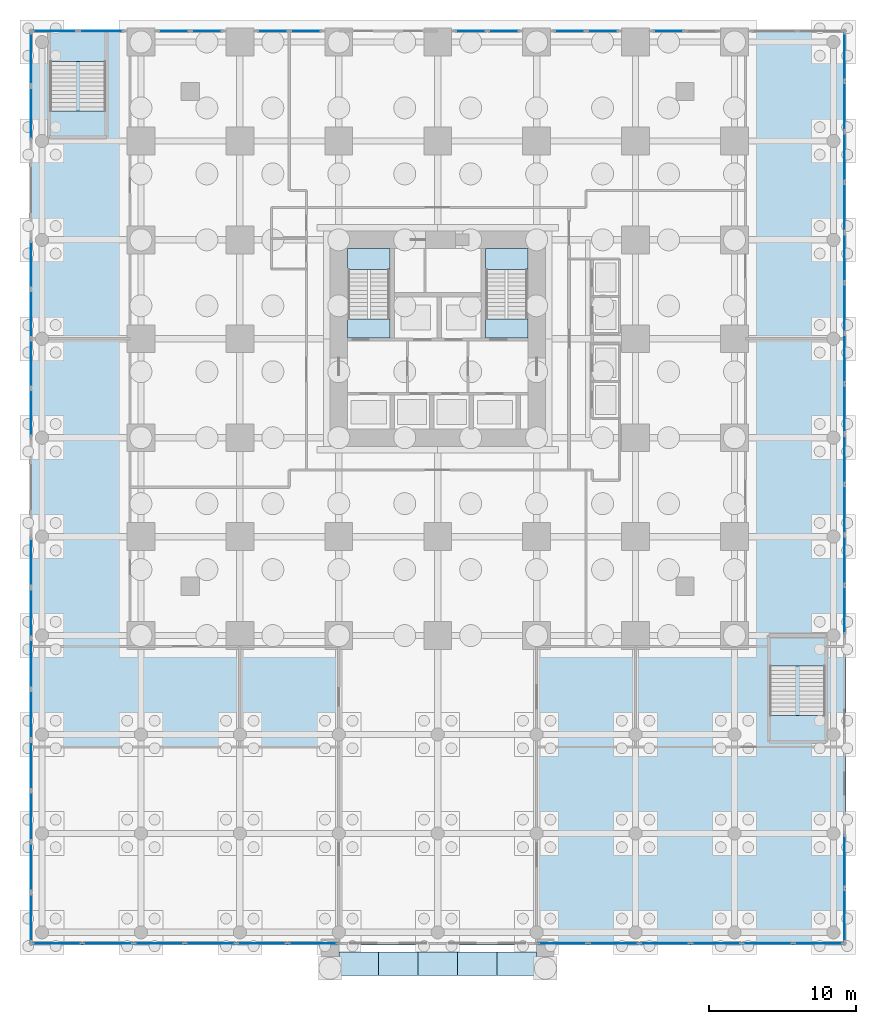
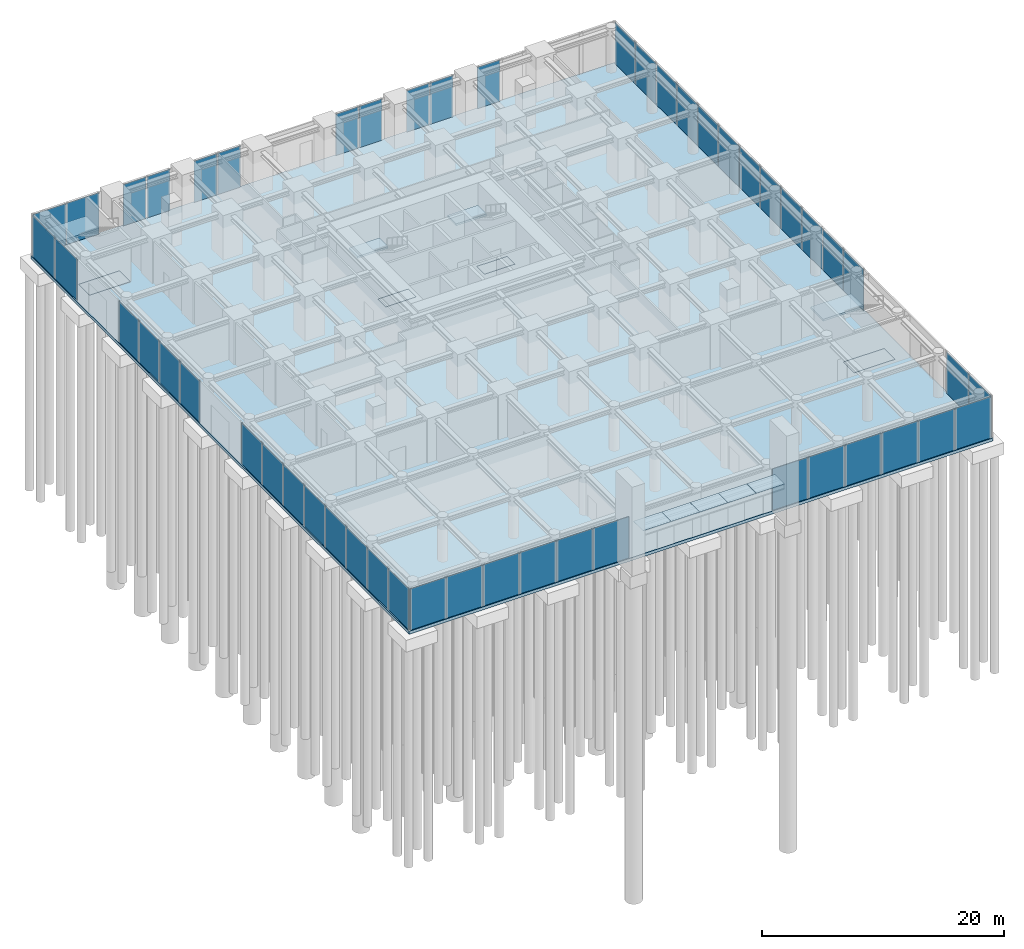
# One storey, part 8 of 14: 56 plates, 9 slabs, 17 elements without a shape of their own.
"""IFC4 building model written with IfcOpenShell, lengths in metres."""

from ifc_helpers import new_model, si_unit, direction, frame, origin, origin_2d, place, context, subcontext, project, spatial, polyline, rectangle, outline, extrude, material, layer, layer_set, type_object, element, aggregate, save


model = new_model("IFC4")

# Units and contexts
model_context = context("Model", 3, precision=1e-05, world=origin(), true_north=direction((0.0, 1.0)))
body_context = subcontext(model_context, "Body", "Model", "MODEL_VIEW")
ifc_project = project(units=[si_unit("LENGTHUNIT", "METRE"), si_unit("AREAUNIT", "SQUARE_METRE"), si_unit("VOLUMEUNIT", "CUBIC_METRE"), si_unit("PLANEANGLEUNIT", "RADIAN"), si_unit("MASSUNIT", "GRAM", prefix="KILO")], contexts=[model_context])

# Site, building, storey
site_placement = place(None, origin())
site = spatial("IfcSite", under=ifc_project, at=site_placement, CompositionType="ELEMENT")
building_placement = place(site_placement, origin())
building = spatial("IfcBuilding", under=site, at=building_placement, Name="Nyansa Garden Tower", CompositionType="ELEMENT")
storey_placement = place(building_placement, origin())
storey = spatial("IfcBuildingStorey", under=building, at=storey_placement, Name="L00", CompositionType="ELEMENT", Elevation=0.0)

# Plates
ifc_material_1 = material(Name="Laminated dark tinted glass", Category="glass")
ifc_layer_1 = layer(ifc_material_1, 0.02490234375)
ifc_layer_set_1 = layer_set([ifc_layer_1], Name="Canopy glass panel CG1")
plate_type_1 = type_object("IfcPlateType", Name="Canopy glass panel CG1", PredefinedType="SHEET", material=ifc_layer_set_1)
for number, where, z_axis, x_axis, name in (
    (1, (14.85009765625, -22.39990234375, 4.0), (0.0, 0.0, 1.0), (1.0, 0.0, 0.0), "Canopy glass panel 1"),
    (2, (17.550048828125, -22.39990234375, 4.0), (0.0, 0.0, 1.0), (1.0, 0.0, 0.0), "Canopy glass panel 2"),
    (3, (20.25, -22.39990234375, 4.0), (0.0, 0.0, 1.0), (1.0, 0.0, 0.0), "Canopy glass panel 3"),
    (4, (22.949951171875, -22.39990234375, 4.0), (0.0, 0.0, 1.0), (1.0, 0.0, 0.0), "Canopy glass panel 4"),
    (5, (25.64990234375, -22.39990234375, 4.0), (0.0, 0.0, 1.0), (1.0, 0.0, 0.0), "Canopy glass panel 5"),
):
    element("IfcPlate", number, at=place(storey_placement, frame(where, z_axis=z_axis, x_axis=x_axis)), inside=storey, type_object=plate_type_1, Name=name, PredefinedType="SHEET", context=body_context, shape_type="SweptSolid", body=[
        extrude(rectangle(XDim=2.68994140625, YDim=1.60009765625, at=origin_2d()), origin(), (0.0, 0.0, 1.0), 0.02490234375),
    ])

# Slab
ifc_material_2 = material(Name="Concrete C40/50", Category="concrete")
ifc_layer_2 = layer(ifc_material_2, 0.300048828125)
ifc_layer_set_2 = layer_set([ifc_layer_2], Name="Ground slab GS300")
slab_type_1 = type_object("IfcSlabType", Name="Ground slab GS300", PredefinedType="BASESLAB", material=ifc_layer_set_2)
slab_1_placement = place(storey_placement, frame((0.0, 0.0, -0.300048828125)))
element("IfcSlab", 6, at=slab_1_placement, inside=storey, type_object=slab_type_1, Name="Ground floor slab", PredefinedType="BASESLAB", context=body_context, shape_type="SweptSolid", body=[
    extrude(outline(polyline([(48.10009765625, -21.10009765625), (-7.60009765625, -21.10009765625), (-7.60009765625, 41.35009765625), (48.10009765625, 41.35009765625), (48.10009765625, -21.10009765625)]), holes=[polyline([(14.10009765625, 20.300048828125), (17.0, 20.300048828125), (17.0, 21.60009765625), (14.10009765625, 21.60009765625), (14.10009765625, 20.300048828125)]), polyline([(23.5, 20.300048828125), (26.39990234375, 20.300048828125), (26.39990234375, 21.60009765625), (23.5, 21.60009765625), (23.5, 20.300048828125)]), polyline([(-6.25, 34.0), (-2.35009765625, 34.0), (-2.35009765625, 35.800048828125), (-6.25, 35.800048828125), (-6.25, 34.0)]), polyline([(42.85009765625, -7.25), (46.75, -7.25), (46.75, -5.449951171875), (42.85009765625, -5.449951171875), (42.85009765625, -7.25)])]), origin(), (0.0, 0.0, 1.0), 0.300048828125),
])

# Curtain wall, plates
ifc_material_3 = material(Name="Black anodised aluminium, clear double glazing", Category="aluminium")
curtain_wall_type = type_object("IfcCurtainWallType", Name="Podium curtain wall PCW", PredefinedType="USERDEFINED", material=ifc_material_3)
curtain_wall_1_placement = place(storey_placement, origin())
curtain_wall_1 = element("IfcCurtainWall", 7, at=curtain_wall_1_placement, inside=storey, type_object=curtain_wall_type, Name="Podium curtain wall L00 E", ObjectType="STICK CURTAIN WALL", PredefinedType="USERDEFINED")
ifc_material_4 = material(Name="Clear laminated double glazing", Category="glass")
ifc_layer_3 = layer(ifc_material_4, 0.0380859375)
ifc_layer_set_3 = layer_set([ifc_layer_3], Name="Podium vision panel VP-P")
plate_type_2 = type_object("IfcPlateType", Name="Podium vision panel VP-P", PredefinedType="CURTAIN_PANEL", material=ifc_layer_set_3)
plate_1_placement = place(storey_placement, frame((48.0, -19.10498046875, 0.0), z_axis=(0.0, 0.0, 1.0), x_axis=(0.0, 1.0, 0.0)))
plate_1 = element("IfcPlate", 8, at=plate_1_placement, type_object=plate_type_2, Name="PCW panel 1", PredefinedType="CURTAIN_PANEL", context=body_context, shape_type="SweptSolid", body=[
    extrude(rectangle(XDim=3.6298828125, YDim=0.0380859375, at=origin_2d()), origin(), (0.0, 0.0, 1.0), 4.169921875),
])
plate_2_placement = place(storey_placement, frame((48.0, -15.39501953125, 0.0), z_axis=(0.0, 0.0, 1.0), x_axis=(0.0, 1.0, 0.0)))
plate_2 = element("IfcPlate", 9, at=plate_2_placement, type_object=plate_type_2, Name="PCW panel 2", PredefinedType="CURTAIN_PANEL", context=body_context, shape_type="SweptSolid", body=[
    extrude(rectangle(XDim=3.6298828125, YDim=0.0380859375, at=origin_2d()), origin(), (0.0, 0.0, 1.0), 4.169921875),
])
aggregate(curtain_wall_1, [plate_1, plate_2])

curtain_wall_2_placement = place(storey_placement, origin())
curtain_wall_2 = element("IfcCurtainWall", 10, at=curtain_wall_2_placement, inside=storey, type_object=curtain_wall_type, Name="Podium curtain wall L00 E", ObjectType="STICK CURTAIN WALL", PredefinedType="USERDEFINED")
plate_3_placement = place(storey_placement, frame((48.0, 1.73876953125, 0.0), z_axis=(0.0, 0.0, 1.0), x_axis=(0.0, 1.0, 0.0)))
plate_3 = element("IfcPlate", 11, at=plate_3_placement, type_object=plate_type_2, Name="PCW panel 1", PredefinedType="CURTAIN_PANEL", context=body_context, shape_type="SweptSolid", body=[
    extrude(rectangle(XDim=3.3173828125, YDim=0.0380859375, at=origin_2d()), origin(), (0.0, 0.0, 1.0), 4.169921875),
])
plate_4_placement = place(storey_placement, frame((48.0, 5.15625, 0.0), z_axis=(0.0, 0.0, 1.0), x_axis=(0.0, 1.0, 0.0)))
plate_4 = element("IfcPlate", 12, at=plate_4_placement, type_object=plate_type_2, Name="PCW panel 2", PredefinedType="CURTAIN_PANEL", context=body_context, shape_type="SweptSolid", body=[
    extrude(rectangle(XDim=3.357421875, YDim=0.0380859375, at=origin_2d()), origin(), (0.0, 0.0, 1.0), 4.169921875),
])
plate_5_placement = place(storey_placement, frame((48.0, 8.59375, 0.0), z_axis=(0.0, 0.0, 1.0), x_axis=(0.0, 1.0, 0.0)))
plate_5 = element("IfcPlate", 13, at=plate_5_placement, type_object=plate_type_2, Name="PCW panel 3", PredefinedType="CURTAIN_PANEL", context=body_context, shape_type="SweptSolid", body=[
    extrude(rectangle(XDim=3.357421875, YDim=0.0380859375, at=origin_2d()), origin(), (0.0, 0.0, 1.0), 4.169921875),
])
plate_6_placement = place(storey_placement, frame((48.0, 12.03125, 0.0), z_axis=(0.0, 0.0, 1.0), x_axis=(0.0, 1.0, 0.0)))
plate_6 = element("IfcPlate", 14, at=plate_6_placement, type_object=plate_type_2, Name="PCW panel 4", PredefinedType="CURTAIN_PANEL", context=body_context, shape_type="SweptSolid", body=[
    extrude(rectangle(XDim=3.357421875, YDim=0.0380859375, at=origin_2d()), origin(), (0.0, 0.0, 1.0), 4.169921875),
])
plate_7_placement = place(storey_placement, frame((48.0, 15.46875, 0.0), z_axis=(0.0, 0.0, 1.0), x_axis=(0.0, 1.0, 0.0)))
plate_7 = element("IfcPlate", 15, at=plate_7_placement, type_object=plate_type_2, Name="PCW panel 5", PredefinedType="CURTAIN_PANEL", context=body_context, shape_type="SweptSolid", body=[
    extrude(rectangle(XDim=3.357421875, YDim=0.0380859375, at=origin_2d()), origin(), (0.0, 0.0, 1.0), 4.169921875),
])
plate_8_placement = place(storey_placement, frame((48.0, 18.90625, 0.0), z_axis=(0.0, 0.0, 1.0), x_axis=(0.0, 1.0, 0.0)))
plate_8 = element("IfcPlate", 16, at=plate_8_placement, type_object=plate_type_2, Name="PCW panel 6", PredefinedType="CURTAIN_PANEL", context=body_context, shape_type="SweptSolid", body=[
    extrude(rectangle(XDim=3.357421875, YDim=0.0380859375, at=origin_2d()), origin(), (0.0, 0.0, 1.0), 4.169921875),
])
plate_9_placement = place(storey_placement, frame((48.0, 22.34375, 0.0), z_axis=(0.0, 0.0, 1.0), x_axis=(0.0, 1.0, 0.0)))
plate_9 = element("IfcPlate", 17, at=plate_9_placement, type_object=plate_type_2, Name="PCW panel 7", PredefinedType="CURTAIN_PANEL", context=body_context, shape_type="SweptSolid", body=[
    extrude(rectangle(XDim=3.357421875, YDim=0.0380859375, at=origin_2d()), origin(), (0.0, 0.0, 1.0), 4.169921875),
])
plate_10_placement = place(storey_placement, frame((48.0, 25.78125, 0.0), z_axis=(0.0, 0.0, 1.0), x_axis=(0.0, 1.0, 0.0)))
plate_10 = element("IfcPlate", 18, at=plate_10_placement, type_object=plate_type_2, Name="PCW panel 8", PredefinedType="CURTAIN_PANEL", context=body_context, shape_type="SweptSolid", body=[
    extrude(rectangle(XDim=3.357421875, YDim=0.0380859375, at=origin_2d()), origin(), (0.0, 0.0, 1.0), 4.169921875),
])
plate_11_placement = place(storey_placement, frame((48.0, 29.21875, 0.0), z_axis=(0.0, 0.0, 1.0), x_axis=(0.0, 1.0, 0.0)))
plate_11 = element("IfcPlate", 19, at=plate_11_placement, type_object=plate_type_2, Name="PCW panel 9", PredefinedType="CURTAIN_PANEL", context=body_context, shape_type="SweptSolid", body=[
    extrude(rectangle(XDim=3.357421875, YDim=0.0380859375, at=origin_2d()), origin(), (0.0, 0.0, 1.0), 4.169921875),
])
plate_12_placement = place(storey_placement, frame((48.0, 32.65625, 0.0), z_axis=(0.0, 0.0, 1.0), x_axis=(0.0, 1.0, 0.0)))
plate_12 = element("IfcPlate", 20, at=plate_12_placement, type_object=plate_type_2, Name="PCW panel 10", PredefinedType="CURTAIN_PANEL", context=body_context, shape_type="SweptSolid", body=[
    extrude(rectangle(XDim=3.357421875, YDim=0.0380859375, at=origin_2d()), origin(), (0.0, 0.0, 1.0), 4.169921875),
])
plate_13_placement = place(storey_placement, frame((48.0, 36.09375, 0.0), z_axis=(0.0, 0.0, 1.0), x_axis=(0.0, 1.0, 0.0)))
plate_13 = element("IfcPlate", 21, at=plate_13_placement, type_object=plate_type_2, Name="PCW panel 11", PredefinedType="CURTAIN_PANEL", context=body_context, shape_type="SweptSolid", body=[
    extrude(rectangle(XDim=3.357421875, YDim=0.0380859375, at=origin_2d()), origin(), (0.0, 0.0, 1.0), 4.169921875),
])
plate_14_placement = place(storey_placement, frame((48.0, 39.51123046875, 0.0), z_axis=(0.0, 0.0, 1.0), x_axis=(0.0, 1.0, 0.0)))
plate_14 = element("IfcPlate", 22, at=plate_14_placement, type_object=plate_type_2, Name="PCW panel 12", PredefinedType="CURTAIN_PANEL", context=body_context, shape_type="SweptSolid", body=[
    extrude(rectangle(XDim=3.3173828125, YDim=0.0380859375, at=origin_2d()), origin(), (0.0, 0.0, 1.0), 4.169921875),
])
aggregate(curtain_wall_2, [plate_3, plate_4, plate_5, plate_6, plate_7, plate_8, plate_9, plate_10, plate_11, plate_12, plate_13, plate_14])

curtain_wall_3_placement = place(storey_placement, origin())
curtain_wall_3 = element("IfcCurtainWall", 23, at=curtain_wall_3_placement, inside=storey, type_object=curtain_wall_type, Name="Podium curtain wall L00 N", ObjectType="STICK CURTAIN WALL", PredefinedType="USERDEFINED")
plate_15_placement = place(storey_placement, frame((11.25, 41.25, 0.0), z_axis=(0.0, 0.0, 1.0), x_axis=(-1.0, 0.0, 0.0)))
plate_15 = element("IfcPlate", 24, at=plate_15_placement, type_object=plate_type_2, Name="PCW panel 1", PredefinedType="CURTAIN_PANEL", context=body_context, shape_type="SweptSolid", body=[
    extrude(rectangle(XDim=2.169921875, YDim=0.0380859375, at=origin_2d()), origin(), (0.0, 0.0, 1.0), 4.169921875),
])
plate_16_placement = place(storey_placement, frame((9.0, 41.25, 0.0), z_axis=(0.0, 0.0, 1.0), x_axis=(-1.0, 0.0, 0.0)))
plate_16 = element("IfcPlate", 25, at=plate_16_placement, type_object=plate_type_2, Name="PCW panel 2", PredefinedType="CURTAIN_PANEL", context=body_context, shape_type="SweptSolid", body=[
    extrude(rectangle(XDim=2.169921875, YDim=0.0380859375, at=origin_2d()), origin(), (0.0, 0.0, 1.0), 4.169921875),
])
aggregate(curtain_wall_3, [plate_15, plate_16])

curtain_wall_4_placement = place(storey_placement, origin())
curtain_wall_4 = element("IfcCurtainWall", 26, at=curtain_wall_4_placement, inside=storey, type_object=curtain_wall_type, Name="Podium curtain wall L00 N", ObjectType="STICK CURTAIN WALL", PredefinedType="USERDEFINED")
plate_17_placement = place(storey_placement, frame((4.5, 41.25, 0.0), z_axis=(0.0, 0.0, 1.0), x_axis=(-1.0, 0.0, 0.0)))
plate_17 = element("IfcPlate", 27, at=plate_17_placement, type_object=plate_type_2, Name="PCW panel 1", PredefinedType="CURTAIN_PANEL", context=body_context, shape_type="SweptSolid", body=[
    extrude(rectangle(XDim=2.169921875, YDim=0.0380859375, at=origin_2d()), origin(), (0.0, 0.0, 1.0), 4.169921875),
])
plate_18_placement = place(storey_placement, frame((2.25, 41.25, 0.0), z_axis=(0.0, 0.0, 1.0), x_axis=(-1.0, 0.0, 0.0)))
plate_18 = element("IfcPlate", 28, at=plate_18_placement, type_object=plate_type_2, Name="PCW panel 2", PredefinedType="CURTAIN_PANEL", context=body_context, shape_type="SweptSolid", body=[
    extrude(rectangle(XDim=2.169921875, YDim=0.0380859375, at=origin_2d()), origin(), (0.0, 0.0, 1.0), 4.169921875),
])
aggregate(curtain_wall_4, [plate_17, plate_18])

curtain_wall_5_placement = place(storey_placement, origin())
curtain_wall_5 = element("IfcCurtainWall", 29, at=curtain_wall_5_placement, inside=storey, type_object=curtain_wall_type, Name="Podium curtain wall L00 N", ObjectType="STICK CURTAIN WALL", PredefinedType="USERDEFINED")
plate_19_placement = place(storey_placement, frame((-2.708740234375, 41.25, 0.0), z_axis=(0.0, 0.0, 1.0), x_axis=(-1.0, 0.0, 0.0)))
plate_19 = element("IfcPlate", 30, at=plate_19_placement, type_object=plate_type_2, Name="PCW panel 1", PredefinedType="CURTAIN_PANEL", context=body_context, shape_type="SweptSolid", body=[
    extrude(rectangle(XDim=3.08740234375, YDim=0.0380859375, at=origin_2d()), origin(), (0.0, 0.0, 1.0), 4.169921875),
])
plate_20_placement = place(storey_placement, frame((-5.876220703125, 41.25, 0.0), z_axis=(0.0, 0.0, 1.0), x_axis=(-1.0, 0.0, 0.0)))
plate_20 = element("IfcPlate", 31, at=plate_20_placement, type_object=plate_type_2, Name="PCW panel 2", PredefinedType="CURTAIN_PANEL", context=body_context, shape_type="SweptSolid", body=[
    extrude(rectangle(XDim=3.08740234375, YDim=0.0380859375, at=origin_2d()), origin(), (0.0, 0.0, 1.0), 4.169921875),
])
aggregate(curtain_wall_5, [plate_19, plate_20])

# Curtain wall, plate
curtain_wall_6_placement = place(storey_placement, origin())
curtain_wall_6 = element("IfcCurtainWall", 32, at=curtain_wall_6_placement, inside=storey, type_object=curtain_wall_type, Name="Podium curtain wall L00 N", ObjectType="STICK CURTAIN WALL", PredefinedType="USERDEFINED")
plate_21_placement = place(storey_placement, frame((36.0, 41.25, 0.0), z_axis=(0.0, 0.0, 1.0), x_axis=(-1.0, 0.0, 0.0)))
plate_21 = element("IfcPlate", 33, at=plate_21_placement, type_object=plate_type_2, Name="PCW panel 2", PredefinedType="CURTAIN_PANEL", context=body_context, shape_type="SweptSolid", body=[
    extrude(rectangle(XDim=2.169921875, YDim=0.0380859375, at=origin_2d()), origin(), (0.0, 0.0, 1.0), 4.169921875),
])
aggregate(curtain_wall_6, [plate_21])

# Curtain wall, plates
curtain_wall_7_placement = place(storey_placement, origin())
curtain_wall_7 = element("IfcCurtainWall", 34, at=curtain_wall_7_placement, inside=storey, type_object=curtain_wall_type, Name="Podium curtain wall L00 N", ObjectType="STICK CURTAIN WALL", PredefinedType="USERDEFINED")
plate_22_placement = place(storey_placement, frame((31.5, 41.25, 0.0), z_axis=(0.0, 0.0, 1.0), x_axis=(-1.0, 0.0, 0.0)))
plate_22 = element("IfcPlate", 35, at=plate_22_placement, type_object=plate_type_2, Name="PCW panel 1", PredefinedType="CURTAIN_PANEL", context=body_context, shape_type="SweptSolid", body=[
    extrude(rectangle(XDim=2.169921875, YDim=0.0380859375, at=origin_2d()), origin(), (0.0, 0.0, 1.0), 4.169921875),
])
plate_23_placement = place(storey_placement, frame((29.25, 41.25, 0.0), z_axis=(0.0, 0.0, 1.0), x_axis=(-1.0, 0.0, 0.0)))
plate_23 = element("IfcPlate", 36, at=plate_23_placement, type_object=plate_type_2, Name="PCW panel 2", PredefinedType="CURTAIN_PANEL", context=body_context, shape_type="SweptSolid", body=[
    extrude(rectangle(XDim=2.169921875, YDim=0.0380859375, at=origin_2d()), origin(), (0.0, 0.0, 1.0), 4.169921875),
])
aggregate(curtain_wall_7, [plate_22, plate_23])

curtain_wall_8_placement = place(storey_placement, origin())
curtain_wall_8 = element("IfcCurtainWall", 37, at=curtain_wall_8_placement, inside=storey, type_object=curtain_wall_type, Name="Podium curtain wall L00 N", ObjectType="STICK CURTAIN WALL", PredefinedType="USERDEFINED")
plate_24_placement = place(storey_placement, frame((24.75, 41.25, 0.0), z_axis=(0.0, 0.0, 1.0), x_axis=(-1.0, 0.0, 0.0)))
plate_24 = element("IfcPlate", 38, at=plate_24_placement, type_object=plate_type_2, Name="PCW panel 1", PredefinedType="CURTAIN_PANEL", context=body_context, shape_type="SweptSolid", body=[
    extrude(rectangle(XDim=2.169921875, YDim=0.0380859375, at=origin_2d()), origin(), (0.0, 0.0, 1.0), 4.169921875),
])
plate_25_placement = place(storey_placement, frame((22.5, 41.25, 0.0), z_axis=(0.0, 0.0, 1.0), x_axis=(-1.0, 0.0, 0.0)))
plate_25 = element("IfcPlate", 39, at=plate_25_placement, type_object=plate_type_2, Name="PCW panel 2", PredefinedType="CURTAIN_PANEL", context=body_context, shape_type="SweptSolid", body=[
    extrude(rectangle(XDim=2.169921875, YDim=0.0380859375, at=origin_2d()), origin(), (0.0, 0.0, 1.0), 4.169921875),
])
aggregate(curtain_wall_8, [plate_24, plate_25])

curtain_wall_9_placement = place(storey_placement, origin())
curtain_wall_9 = element("IfcCurtainWall", 40, at=curtain_wall_9_placement, inside=storey, type_object=curtain_wall_type, Name="Podium curtain wall L00 W", ObjectType="STICK CURTAIN WALL", PredefinedType="USERDEFINED")
plate_26_placement = place(storey_placement, frame((-7.5, 4.99560546875, 0.0), z_axis=(0.0, 0.0, 1.0), x_axis=(0.0, -1.0, 0.0)))
plate_26 = element("IfcPlate", 41, at=plate_26_placement, type_object=plate_type_2, Name="PCW panel 1", PredefinedType="CURTAIN_PANEL", context=body_context, shape_type="SweptSolid", body=[
    extrude(rectangle(XDim=3.3486328125, YDim=0.0380859375, at=origin_2d()), origin(), (0.0, 0.0, 1.0), 4.169921875),
])
plate_27_placement = place(storey_placement, frame((-7.5, 1.546875, 0.0), z_axis=(0.0, 0.0, 1.0), x_axis=(0.0, -1.0, 0.0)))
plate_27 = element("IfcPlate", 42, at=plate_27_placement, type_object=plate_type_2, Name="PCW panel 2", PredefinedType="CURTAIN_PANEL", context=body_context, shape_type="SweptSolid", body=[
    extrude(rectangle(XDim=3.388671875, YDim=0.0380859375, at=origin_2d()), origin(), (0.0, 0.0, 1.0), 4.169921875),
])
plate_28_placement = place(storey_placement, frame((-7.5, -1.921875, 0.0), z_axis=(0.0, 0.0, 1.0), x_axis=(0.0, -1.0, 0.0)))
plate_28 = element("IfcPlate", 43, at=plate_28_placement, type_object=plate_type_2, Name="PCW panel 3", PredefinedType="CURTAIN_PANEL", context=body_context, shape_type="SweptSolid", body=[
    extrude(rectangle(XDim=3.388671875, YDim=0.0380859375, at=origin_2d()), origin(), (0.0, 0.0, 1.0), 4.169921875),
])
plate_29_placement = place(storey_placement, frame((-7.5, -5.390625, 0.0), z_axis=(0.0, 0.0, 1.0), x_axis=(0.0, -1.0, 0.0)))
plate_29 = element("IfcPlate", 44, at=plate_29_placement, type_object=plate_type_2, Name="PCW panel 4", PredefinedType="CURTAIN_PANEL", context=body_context, shape_type="SweptSolid", body=[
    extrude(rectangle(XDim=3.388671875, YDim=0.0380859375, at=origin_2d()), origin(), (0.0, 0.0, 1.0), 4.169921875),
])
plate_30_placement = place(storey_placement, frame((-7.5, -8.859375, 0.0), z_axis=(0.0, 0.0, 1.0), x_axis=(0.0, -1.0, 0.0)))
plate_30 = element("IfcPlate", 45, at=plate_30_placement, type_object=plate_type_2, Name="PCW panel 5", PredefinedType="CURTAIN_PANEL", context=body_context, shape_type="SweptSolid", body=[
    extrude(rectangle(XDim=3.388671875, YDim=0.0380859375, at=origin_2d()), origin(), (0.0, 0.0, 1.0), 4.169921875),
])
plate_31_placement = place(storey_placement, frame((-7.5, -12.328125, 0.0), z_axis=(0.0, 0.0, 1.0), x_axis=(0.0, -1.0, 0.0)))
plate_31 = element("IfcPlate", 46, at=plate_31_placement, type_object=plate_type_2, Name="PCW panel 6", PredefinedType="CURTAIN_PANEL", context=body_context, shape_type="SweptSolid", body=[
    extrude(rectangle(XDim=3.388671875, YDim=0.0380859375, at=origin_2d()), origin(), (0.0, 0.0, 1.0), 4.169921875),
])
plate_32_placement = place(storey_placement, frame((-7.5, -15.796875, 0.0), z_axis=(0.0, 0.0, 1.0), x_axis=(0.0, -1.0, 0.0)))
plate_32 = element("IfcPlate", 47, at=plate_32_placement, type_object=plate_type_2, Name="PCW panel 7", PredefinedType="CURTAIN_PANEL", context=body_context, shape_type="SweptSolid", body=[
    extrude(rectangle(XDim=3.388671875, YDim=0.0380859375, at=origin_2d()), origin(), (0.0, 0.0, 1.0), 4.169921875),
])
plate_33_placement = place(storey_placement, frame((-7.5, -19.24560546875, 0.0), z_axis=(0.0, 0.0, 1.0), x_axis=(0.0, -1.0, 0.0)))
plate_33 = element("IfcPlate", 48, at=plate_33_placement, type_object=plate_type_2, Name="PCW panel 8", PredefinedType="CURTAIN_PANEL", context=body_context, shape_type="SweptSolid", body=[
    extrude(rectangle(XDim=3.3486328125, YDim=0.0380859375, at=origin_2d()), origin(), (0.0, 0.0, 1.0), 4.169921875),
])
aggregate(curtain_wall_9, [plate_26, plate_27, plate_28, plate_29, plate_30, plate_31, plate_32, plate_33])

curtain_wall_10_placement = place(storey_placement, origin())
curtain_wall_10 = element("IfcCurtainWall", 49, at=curtain_wall_10_placement, inside=storey, type_object=curtain_wall_type, Name="Podium curtain wall L00 W", ObjectType="STICK CURTAIN WALL", PredefinedType="USERDEFINED")
plate_34_placement = place(storey_placement, frame((-7.5, 25.29248046875, 0.0), z_axis=(0.0, 0.0, 1.0), x_axis=(0.0, -1.0, 0.0)))
plate_34 = element("IfcPlate", 50, at=plate_34_placement, type_object=plate_type_2, Name="PCW panel 1", PredefinedType="CURTAIN_PANEL", context=body_context, shape_type="SweptSolid", body=[
    extrude(rectangle(XDim=3.2548828125, YDim=0.0380859375, at=origin_2d()), origin(), (0.0, 0.0, 1.0), 4.169921875),
])
plate_35_placement = place(storey_placement, frame((-7.5, 21.9375, 0.0), z_axis=(0.0, 0.0, 1.0), x_axis=(0.0, -1.0, 0.0)))
plate_35 = element("IfcPlate", 51, at=plate_35_placement, type_object=plate_type_2, Name="PCW panel 2", PredefinedType="CURTAIN_PANEL", context=body_context, shape_type="SweptSolid", body=[
    extrude(rectangle(XDim=3.294921875, YDim=0.0380859375, at=origin_2d()), origin(), (0.0, 0.0, 1.0), 4.169921875),
])
plate_36_placement = place(storey_placement, frame((-7.5, 18.5625, 0.0), z_axis=(0.0, 0.0, 1.0), x_axis=(0.0, -1.0, 0.0)))
plate_36 = element("IfcPlate", 52, at=plate_36_placement, type_object=plate_type_2, Name="PCW panel 3", PredefinedType="CURTAIN_PANEL", context=body_context, shape_type="SweptSolid", body=[
    extrude(rectangle(XDim=3.294921875, YDim=0.0380859375, at=origin_2d()), origin(), (0.0, 0.0, 1.0), 4.169921875),
])
plate_37_placement = place(storey_placement, frame((-7.5, 15.20751953125, 0.0), z_axis=(0.0, 0.0, 1.0), x_axis=(0.0, -1.0, 0.0)))
plate_37 = element("IfcPlate", 53, at=plate_37_placement, type_object=plate_type_2, Name="PCW panel 4", PredefinedType="CURTAIN_PANEL", context=body_context, shape_type="SweptSolid", body=[
    extrude(rectangle(XDim=3.2548828125, YDim=0.0380859375, at=origin_2d()), origin(), (0.0, 0.0, 1.0), 4.169921875),
])
aggregate(curtain_wall_10, [plate_34, plate_35, plate_36, plate_37])

curtain_wall_11_placement = place(storey_placement, origin())
curtain_wall_11 = element("IfcCurtainWall", 54, at=curtain_wall_11_placement, inside=storey, type_object=curtain_wall_type, Name="Podium curtain wall L00 W", ObjectType="STICK CURTAIN WALL", PredefinedType="USERDEFINED")
plate_38_placement = place(storey_placement, frame((-7.5, 39.35498046875, 0.0), z_axis=(0.0, 0.0, 1.0), x_axis=(0.0, -1.0, 0.0)))
plate_38 = element("IfcPlate", 55, at=plate_38_placement, type_object=plate_type_2, Name="PCW panel 1", PredefinedType="CURTAIN_PANEL", context=body_context, shape_type="SweptSolid", body=[
    extrude(rectangle(XDim=3.6298828125, YDim=0.0380859375, at=origin_2d()), origin(), (0.0, 0.0, 1.0), 4.169921875),
])
plate_39_placement = place(storey_placement, frame((-7.5, 35.64501953125, 0.0), z_axis=(0.0, 0.0, 1.0), x_axis=(0.0, -1.0, 0.0)))
plate_39 = element("IfcPlate", 56, at=plate_39_placement, type_object=plate_type_2, Name="PCW panel 2", PredefinedType="CURTAIN_PANEL", context=body_context, shape_type="SweptSolid", body=[
    extrude(rectangle(XDim=3.6298828125, YDim=0.0380859375, at=origin_2d()), origin(), (0.0, 0.0, 1.0), 4.169921875),
])
aggregate(curtain_wall_11, [plate_38, plate_39])

curtain_wall_12_placement = place(storey_placement, origin())
curtain_wall_12 = element("IfcCurtainWall", 57, at=curtain_wall_12_placement, inside=storey, type_object=curtain_wall_type, Name="Podium curtain wall L00 S", ObjectType="STICK CURTAIN WALL", PredefinedType="USERDEFINED")
plate_40_placement = place(storey_placement, frame((-5.72998046875, -21.0, 0.0), z_axis=(0.0, 0.0, 1.0), x_axis=(1.0, 0.0, 0.0)))
plate_40 = element("IfcPlate", 58, at=plate_40_placement, type_object=plate_type_2, Name="PCW panel 1", PredefinedType="CURTAIN_PANEL", context=body_context, shape_type="SweptSolid", body=[
    extrude(rectangle(XDim=3.3798828125, YDim=0.0380859375, at=origin_2d()), origin(), (0.0, 0.0, 1.0), 4.169921875),
])
plate_41_placement = place(storey_placement, frame((-2.25, -21.0, 0.0), z_axis=(0.0, 0.0, 1.0), x_axis=(1.0, 0.0, 0.0)))
plate_41 = element("IfcPlate", 59, at=plate_41_placement, type_object=plate_type_2, Name="PCW panel 2", PredefinedType="CURTAIN_PANEL", context=body_context, shape_type="SweptSolid", body=[
    extrude(rectangle(XDim=3.419921875, YDim=0.0380859375, at=origin_2d()), origin(), (0.0, 0.0, 1.0), 4.169921875),
])
plate_42_placement = place(storey_placement, frame((1.25, -21.0, 0.0), z_axis=(0.0, 0.0, 1.0), x_axis=(1.0, 0.0, 0.0)))
plate_42 = element("IfcPlate", 60, at=plate_42_placement, type_object=plate_type_2, Name="PCW panel 3", PredefinedType="CURTAIN_PANEL", context=body_context, shape_type="SweptSolid", body=[
    extrude(rectangle(XDim=3.419921875, YDim=0.0380859375, at=origin_2d()), origin(), (0.0, 0.0, 1.0), 4.169921875),
])
plate_43_placement = place(storey_placement, frame((4.75, -21.0, 0.0), z_axis=(0.0, 0.0, 1.0), x_axis=(1.0, 0.0, 0.0)))
plate_43 = element("IfcPlate", 61, at=plate_43_placement, type_object=plate_type_2, Name="PCW panel 4", PredefinedType="CURTAIN_PANEL", context=body_context, shape_type="SweptSolid", body=[
    extrude(rectangle(XDim=3.419921875, YDim=0.0380859375, at=origin_2d()), origin(), (0.0, 0.0, 1.0), 4.169921875),
])
plate_44_placement = place(storey_placement, frame((8.25, -21.0, 0.0), z_axis=(0.0, 0.0, 1.0), x_axis=(1.0, 0.0, 0.0)))
plate_44 = element("IfcPlate", 62, at=plate_44_placement, type_object=plate_type_2, Name="PCW panel 5", PredefinedType="CURTAIN_PANEL", context=body_context, shape_type="SweptSolid", body=[
    extrude(rectangle(XDim=3.419921875, YDim=0.0380859375, at=origin_2d()), origin(), (0.0, 0.0, 1.0), 4.169921875),
])
plate_45_placement = place(storey_placement, frame((11.72998046875, -21.0, 0.0), z_axis=(0.0, 0.0, 1.0), x_axis=(1.0, 0.0, 0.0)))
plate_45 = element("IfcPlate", 63, at=plate_45_placement, type_object=plate_type_2, Name="PCW panel 6", PredefinedType="CURTAIN_PANEL", context=body_context, shape_type="SweptSolid", body=[
    extrude(rectangle(XDim=3.3798828125, YDim=0.0380859375, at=origin_2d()), origin(), (0.0, 0.0, 1.0), 4.169921875),
])
aggregate(curtain_wall_12, [plate_40, plate_41, plate_42, plate_43, plate_44, plate_45])

curtain_wall_13_placement = place(storey_placement, origin())
curtain_wall_13 = element("IfcCurtainWall", 64, at=curtain_wall_13_placement, inside=storey, type_object=curtain_wall_type, Name="Podium curtain wall L00 S", ObjectType="STICK CURTAIN WALL", PredefinedType="USERDEFINED")
plate_46_placement = place(storey_placement, frame((28.77001953125, -21.0, 0.0), z_axis=(0.0, 0.0, 1.0), x_axis=(1.0, 0.0, 0.0)))
plate_46 = element("IfcPlate", 65, at=plate_46_placement, type_object=plate_type_2, Name="PCW panel 1", PredefinedType="CURTAIN_PANEL", context=body_context, shape_type="SweptSolid", body=[
    extrude(rectangle(XDim=3.3798828125, YDim=0.0380859375, at=origin_2d()), origin(), (0.0, 0.0, 1.0), 4.169921875),
])
plate_47_placement = place(storey_placement, frame((32.25, -21.0, 0.0), z_axis=(0.0, 0.0, 1.0), x_axis=(1.0, 0.0, 0.0)))
plate_47 = element("IfcPlate", 66, at=plate_47_placement, type_object=plate_type_2, Name="PCW panel 2", PredefinedType="CURTAIN_PANEL", context=body_context, shape_type="SweptSolid", body=[
    extrude(rectangle(XDim=3.419921875, YDim=0.0380859375, at=origin_2d()), origin(), (0.0, 0.0, 1.0), 4.169921875),
])
plate_48_placement = place(storey_placement, frame((35.75, -21.0, 0.0), z_axis=(0.0, 0.0, 1.0), x_axis=(1.0, 0.0, 0.0)))
plate_48 = element("IfcPlate", 67, at=plate_48_placement, type_object=plate_type_2, Name="PCW panel 3", PredefinedType="CURTAIN_PANEL", context=body_context, shape_type="SweptSolid", body=[
    extrude(rectangle(XDim=3.419921875, YDim=0.0380859375, at=origin_2d()), origin(), (0.0, 0.0, 1.0), 4.169921875),
])
plate_49_placement = place(storey_placement, frame((39.25, -21.0, 0.0), z_axis=(0.0, 0.0, 1.0), x_axis=(1.0, 0.0, 0.0)))
plate_49 = element("IfcPlate", 68, at=plate_49_placement, type_object=plate_type_2, Name="PCW panel 4", PredefinedType="CURTAIN_PANEL", context=body_context, shape_type="SweptSolid", body=[
    extrude(rectangle(XDim=3.419921875, YDim=0.0380859375, at=origin_2d()), origin(), (0.0, 0.0, 1.0), 4.169921875),
])
plate_50_placement = place(storey_placement, frame((42.75, -21.0, 0.0), z_axis=(0.0, 0.0, 1.0), x_axis=(1.0, 0.0, 0.0)))
plate_50 = element("IfcPlate", 69, at=plate_50_placement, type_object=plate_type_2, Name="PCW panel 5", PredefinedType="CURTAIN_PANEL", context=body_context, shape_type="SweptSolid", body=[
    extrude(rectangle(XDim=3.419921875, YDim=0.0380859375, at=origin_2d()), origin(), (0.0, 0.0, 1.0), 4.169921875),
])
plate_51_placement = place(storey_placement, frame((46.22998046875, -21.0, 0.0), z_axis=(0.0, 0.0, 1.0), x_axis=(1.0, 0.0, 0.0)))
plate_51 = element("IfcPlate", 70, at=plate_51_placement, type_object=plate_type_2, Name="PCW panel 6", PredefinedType="CURTAIN_PANEL", context=body_context, shape_type="SweptSolid", body=[
    extrude(rectangle(XDim=3.3798828125, YDim=0.0380859375, at=origin_2d()), origin(), (0.0, 0.0, 1.0), 4.169921875),
])
aggregate(curtain_wall_13, [plate_46, plate_47, plate_48, plate_49, plate_50, plate_51])

# Stair, slabs
ifc_material_5 = material(Name="Precast concrete C40/50", Category="concrete")
stair_type_1 = type_object("IfcStairType", Name="Stair S1 173x280", PredefinedType="HALF_TURN_STAIR", material=ifc_material_5)
stair_1_placement = place(storey_placement, origin())
stair_1 = element("IfcStair", 71, at=stair_1_placement, inside=storey, type_object=stair_type_1, Name="Stair S1 L00", PredefinedType="HALF_TURN_STAIR")
ifc_material_6 = material(Name="Concrete C40/50", Category="concrete")
ifc_layer_4 = layer(ifc_material_6, 0.199951171875)
ifc_layer_set_4 = layer_set([ifc_layer_4], Name="Stair landing SL200")
slab_type_2 = type_object("IfcSlabType", Name="Stair landing SL200", PredefinedType="LANDING", material=ifc_layer_set_4)
slab_2_placement = place(storey_placement, frame((0.0, 0.0, -0.199951171875)))
slab_2 = element("IfcSlab", 72, at=slab_2_placement, type_object=slab_type_2, Name="S1 landing 1", PredefinedType="LANDING", context=body_context, shape_type="SweptSolid", body=[
    extrude(outline(polyline([(14.10009765625, 20.300048828125), (17.0, 20.300048828125), (17.0, 21.60009765625), (14.10009765625, 21.60009765625), (14.10009765625, 20.300048828125)])), origin(), (0.0, 0.0, 1.0), 0.199951171875),
])
slab_3_placement = place(storey_placement, frame((0.0, 0.0, 2.050048828125)))
slab_3 = element("IfcSlab", 73, at=slab_3_placement, type_object=slab_type_2, Name="S1 landing 2", PredefinedType="LANDING", context=body_context, shape_type="SweptSolid", body=[
    extrude(outline(polyline([(14.10009765625, 24.9599609375), (17.0, 24.9599609375), (17.0, 26.39990234375), (14.10009765625, 26.39990234375), (14.10009765625, 24.9599609375)])), origin(), (0.0, 0.0, 1.0), 0.199951171875),
])
aggregate(stair_1, [slab_2, slab_3])

ifc_material_7 = material(Name="Precast concrete C40/50", Category="concrete")
stair_type_2 = type_object("IfcStairType", Name="Stair S2 173x280", PredefinedType="HALF_TURN_STAIR", material=ifc_material_7)
stair_2_placement = place(storey_placement, origin())
stair_2 = element("IfcStair", 74, at=stair_2_placement, inside=storey, type_object=stair_type_2, Name="Stair S2 L00", PredefinedType="HALF_TURN_STAIR")
slab_4_placement = place(storey_placement, frame((0.0, 0.0, -0.199951171875)))
slab_4 = element("IfcSlab", 75, at=slab_4_placement, type_object=slab_type_2, Name="S2 landing 1", PredefinedType="LANDING", context=body_context, shape_type="SweptSolid", body=[
    extrude(outline(polyline([(23.5, 20.300048828125), (26.39990234375, 20.300048828125), (26.39990234375, 21.60009765625), (23.5, 21.60009765625), (23.5, 20.300048828125)])), origin(), (0.0, 0.0, 1.0), 0.199951171875),
])
slab_5_placement = place(storey_placement, frame((0.0, 0.0, 2.050048828125)))
slab_5 = element("IfcSlab", 76, at=slab_5_placement, type_object=slab_type_2, Name="S2 landing 2", PredefinedType="LANDING", context=body_context, shape_type="SweptSolid", body=[
    extrude(outline(polyline([(23.5, 24.9599609375), (26.39990234375, 24.9599609375), (26.39990234375, 26.39990234375), (23.5, 26.39990234375), (23.5, 24.9599609375)])), origin(), (0.0, 0.0, 1.0), 0.199951171875),
])
aggregate(stair_2, [slab_4, slab_5])

ifc_material_8 = material(Name="Precast concrete C40/50", Category="concrete")
stair_type_3 = type_object("IfcStairType", Name="Stair S3 173x280", PredefinedType="HALF_TURN_STAIR", material=ifc_material_8)
stair_3_placement = place(storey_placement, origin())
stair_3 = element("IfcStair", 77, at=stair_3_placement, inside=storey, type_object=stair_type_3, Name="Stair S3 L00", PredefinedType="HALF_TURN_STAIR")
slab_6_placement = place(storey_placement, frame((0.0, 0.0, -0.199951171875)))
slab_6 = element("IfcSlab", 78, at=slab_6_placement, type_object=slab_type_2, Name="S3 landing 1", PredefinedType="LANDING", context=body_context, shape_type="SweptSolid", body=[
    extrude(outline(polyline([(-6.25, 34.0), (-2.35009765625, 34.0), (-2.35009765625, 35.800048828125), (-6.25, 35.800048828125), (-6.25, 34.0)])), origin(), (0.0, 0.0, 1.0), 0.199951171875),
])
slab_7_placement = place(storey_placement, frame((0.0, 0.0, 2.050048828125)))
slab_7 = element("IfcSlab", 79, at=slab_7_placement, type_object=slab_type_2, Name="S3 landing 2", PredefinedType="LANDING", context=body_context, shape_type="SweptSolid", body=[
    extrude(outline(polyline([(-6.25, 39.159912109375), (-2.35009765625, 39.159912109375), (-2.35009765625, 41.25), (-6.25, 41.25), (-6.25, 39.159912109375)])), origin(), (0.0, 0.0, 1.0), 0.199951171875),
])
aggregate(stair_3, [slab_6, slab_7])

ifc_material_9 = material(Name="Precast concrete C40/50", Category="concrete")
stair_type_4 = type_object("IfcStairType", Name="Stair S4 173x280", PredefinedType="HALF_TURN_STAIR", material=ifc_material_9)
stair_4_placement = place(storey_placement, origin())
stair_4 = element("IfcStair", 80, at=stair_4_placement, inside=storey, type_object=stair_type_4, Name="Stair S4 L00", PredefinedType="HALF_TURN_STAIR")
slab_8_placement = place(storey_placement, frame((0.0, 0.0, -0.199951171875)))
slab_8 = element("IfcSlab", 81, at=slab_8_placement, type_object=slab_type_2, Name="S4 landing 1", PredefinedType="LANDING", context=body_context, shape_type="SweptSolid", body=[
    extrude(outline(polyline([(42.85009765625, -7.25), (46.75, -7.25), (46.75, -5.449951171875), (42.85009765625, -5.449951171875), (42.85009765625, -7.25)])), origin(), (0.0, 0.0, 1.0), 0.199951171875),
])
slab_9_placement = place(storey_placement, frame((0.0, 0.0, 2.050048828125)))
slab_9 = element("IfcSlab", 82, at=slab_9_placement, type_object=slab_type_2, Name="S4 landing 2", PredefinedType="LANDING", context=body_context, shape_type="SweptSolid", body=[
    extrude(outline(polyline([(42.85009765625, -2.090087890625), (46.75, -2.090087890625), (46.75, 0.0), (42.85009765625, 0.0), (42.85009765625, -2.090087890625)])), origin(), (0.0, 0.0, 1.0), 0.199951171875),
])
aggregate(stair_4, [slab_8, slab_9])

save(model, "model.ifc")
